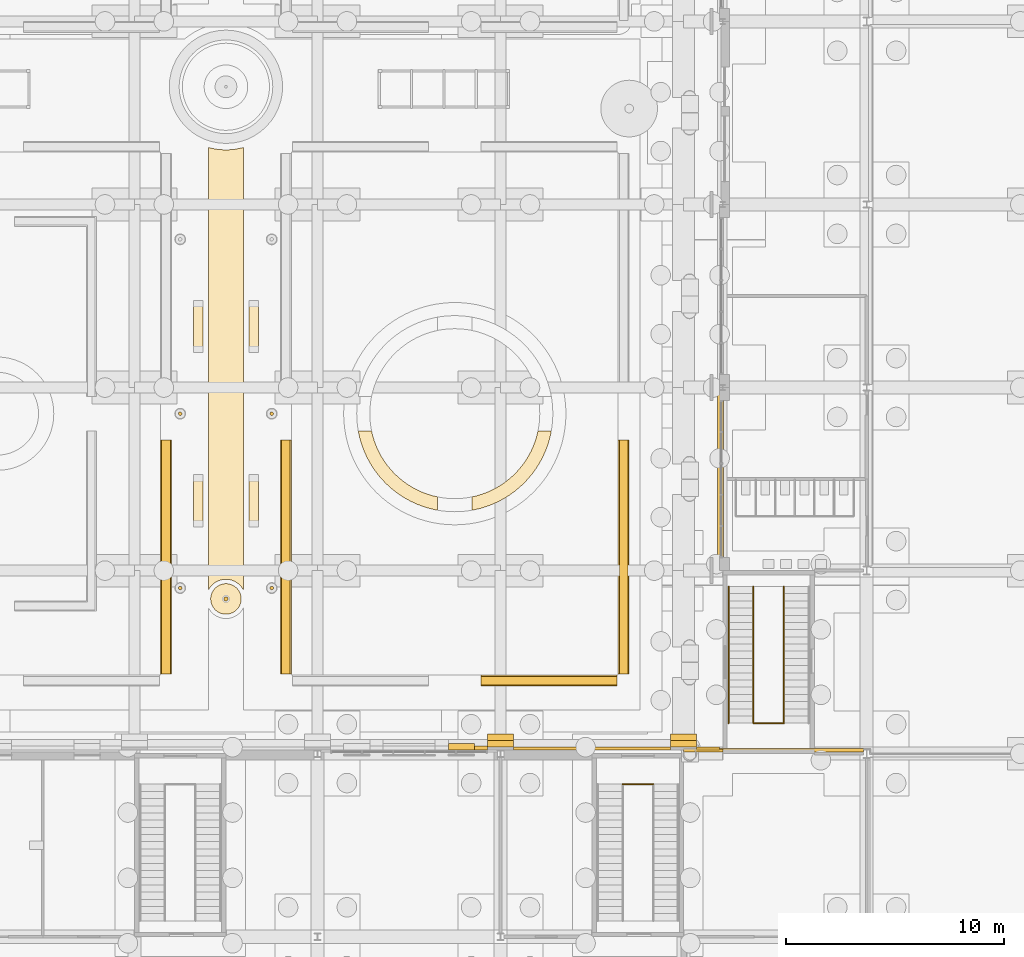
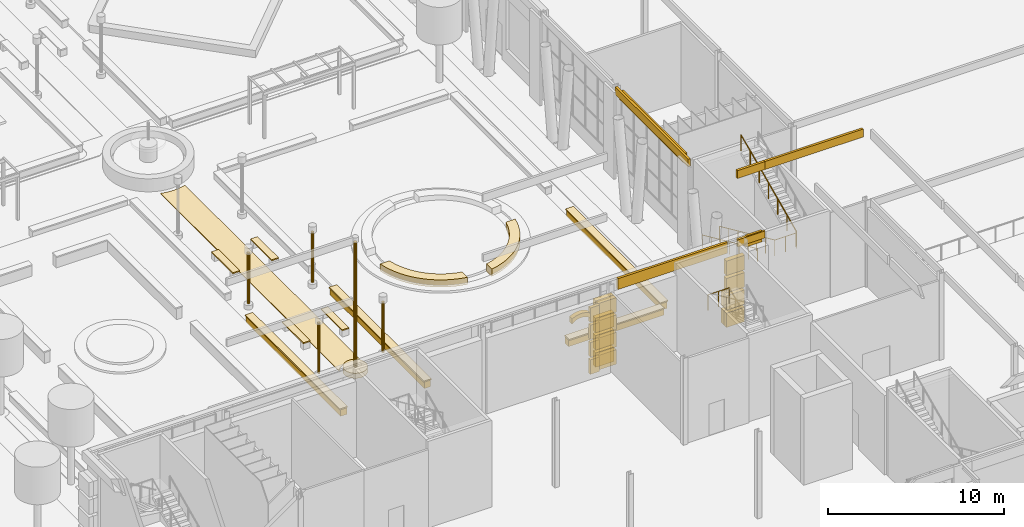
# One storey, part 138 of 222: 47 coverings, 5 railings.
"""IFC4 building model written with IfcOpenShell, lengths in metres."""

from ifc_helpers import new_model, si_unit, direction, frame, origin, origin_2d, place, context, subcontext, project, spatial, polyline, rectangle, circle, outline, extrude, material, layer, layer_set, type_object, element, save


model = new_model("IFC4")

# Units and contexts
model_context = context("Model", 3, precision=1e-05, world=origin(), true_north=direction((0.0, 1.0)))
body_context = subcontext(model_context, "Body", "Model", "MODEL_VIEW")
ifc_project = project(units=[si_unit("LENGTHUNIT", "METRE"), si_unit("AREAUNIT", "SQUARE_METRE"), si_unit("VOLUMEUNIT", "CUBIC_METRE"), si_unit("PLANEANGLEUNIT", "RADIAN"), si_unit("MASSUNIT", "GRAM", prefix="KILO")], contexts=[model_context])

# Site, building, storey
site_placement = place(None, origin())
site = spatial("IfcSite", under=ifc_project, at=site_placement, CompositionType="ELEMENT")
building_placement = place(site_placement, origin())
building = spatial("IfcBuilding", under=site, at=building_placement, Name="Sava Quay Ferry Terminal", CompositionType="ELEMENT")
storey_placement = place(building_placement, origin())
storey = spatial("IfcBuildingStorey", under=building, at=storey_placement, Name="L00", CompositionType="ELEMENT", Elevation=0.0)

# Coverings
ifc_material_1 = material(Name="Limestone Mutalj", Category="masonry")
ifc_layer_1 = layer(ifc_material_1, 0.300048828125)
ifc_layer_set_1 = layer_set([ifc_layer_1], Name="Limestone Mutalj")
covering_type_1 = type_object("IfcCoveringType", Name="Arch band 280", PredefinedType="MOLDING", material=ifc_layer_set_1)
covering_1_placement = place(storey_placement, frame((31.199951171875, 50.56005859375, 3.89990234375), z_axis=(0.0, -1.0, 0.0), x_axis=(0.766686318179, 0.0, 0.642021876199)))
element("IfcCovering", 1, at=covering_1_placement, inside=storey, type_object=covering_type_1, Name="Arch band", PredefinedType="MOLDING", context=body_context, shape_type="SweptSolid", body=[
    extrude(outline(polyline([(0.0, 0.0), (0.15667057654730215, -1.3877787807814457e-17), (0.29293404656438327, -0.02398938309786766), (0.414337308134961, -0.06610472040016957), (0.5230139006591377, -0.1230376562322823), (0.6205921316676617, -0.19360424362325043), (0.7070111298509724, -0.2771166367750381), (0.7823317665186302, -0.3742626814856812), (0.844925734139887, -0.48622632472613514), (0.8926594933146406, -0.6163159221710233), (0.919986145959173, -0.7703949027137791), (1.1489885778747033, -0.49692597916416525), (1.0994043308893047, -0.3694264559410845), (1.0383473638344554, -0.2552470970326215), (0.9677594714851411, -0.1528295969140227), (0.8882067570202763, -0.06073739267965583), (0.8003770662378966, 0.021090386980039788), (0.7042095278284416, 0.09334158786309998), (0.5997650131014718, 0.15532836417148896), (0.4863556762589516, 0.20698984459564596), (0.3634154141219664, 0.2468894662299388), (0.22900243191553027, 0.27346892354961383), (0.0, 0.0)])), origin(), (0.0, 0.0, -1.0), 0.300048828125),
])
ifc_material_2 = material(Name="Glulam GL28h", Category="wood")
ifc_layer_2 = layer(ifc_material_2, 0.449951171875)
ifc_layer_set_2 = layer_set([ifc_layer_2], Name="Glulam GL28h")
covering_type_2 = type_object("IfcCoveringType", Name="Bench seat 450", PredefinedType="CLADDING", material=ifc_layer_set_2)
covering_2_placement = place(storey_placement, frame((0.0, 0.0, 0.419921875)))
element("IfcCovering", 2, at=covering_2_placement, inside=storey, type_object=covering_type_2, Name="Bench seat", PredefinedType="CLADDING", context=body_context, shape_type="SweptSolid", body=[
    extrude(outline(polyline([(19.949951171875, 60.800048828125), (19.949951171875, 63.199951171875), (19.5, 63.199951171875), (19.5, 60.800048828125), (19.949951171875, 60.800048828125)])), origin(), (0.0, 0.0, 1.0), 0.080078125),
])
covering_3_placement = place(storey_placement, frame((0.0, 0.0, 0.419921875)))
element("IfcCovering", 3, at=covering_3_placement, inside=storey, type_object=covering_type_2, Name="Bench seat", PredefinedType="CLADDING", context=body_context, shape_type="SweptSolid", body=[
    extrude(outline(polyline([(19.949951171875, 68.800048828125), (19.949951171875, 71.199951171875), (19.5, 71.199951171875), (19.5, 68.800048828125), (19.949951171875, 68.800048828125)])), origin(), (0.0, 0.0, 1.0), 0.080078125),
])
covering_4_placement = place(storey_placement, frame((0.0, 0.0, 0.419921875)))
element("IfcCovering", 4, at=covering_4_placement, inside=storey, type_object=covering_type_2, Name="Bench seat", PredefinedType="CLADDING", context=body_context, shape_type="SweptSolid", body=[
    extrude(outline(polyline([(22.5, 60.800048828125), (22.5, 63.199951171875), (22.050048828125, 63.199951171875), (22.050048828125, 60.800048828125), (22.5, 60.800048828125)])), origin(), (0.0, 0.0, 1.0), 0.080078125),
])
covering_5_placement = place(storey_placement, frame((0.0, 0.0, 0.419921875)))
element("IfcCovering", 5, at=covering_5_placement, inside=storey, type_object=covering_type_2, Name="Bench seat", PredefinedType="CLADDING", context=body_context, shape_type="SweptSolid", body=[
    extrude(outline(polyline([(22.5, 68.800048828125), (22.5, 71.199951171875), (22.050048828125, 71.199951171875), (22.050048828125, 68.800048828125), (22.5, 68.800048828125)])), origin(), (0.0, 0.0, 1.0), 0.080078125),
])
ifc_material_3 = material(Name="Copper patinated")
ifc_layer_3 = layer(ifc_material_3, 0.25)
ifc_layer_set_3 = layer_set([ifc_layer_3], Name="Copper patinated")
covering_type_3 = type_object("IfcCoveringType", Name="Copper spandrel panel 250", PredefinedType="CLADDING", material=ifc_layer_set_3)
covering_6_placement = place(storey_placement, frame((43.699951171875, 59.39990234375, 5.39990234375), z_axis=(0.0, 0.0, 1.0), x_axis=(0.0, 1.0, 0.0)))
element("IfcCovering", 6, at=covering_6_placement, inside=storey, type_object=covering_type_3, Name="Spandrel panel D-W", PredefinedType="CLADDING", context=body_context, shape_type="SweptSolid", body=[
    extrude(outline(polyline([(0.0, 0.0), (7.2001953125, 0.0), (7.199951171875, 0.60009765625), (0.0, 0.60009765625), (0.0, 0.0)])), frame((0.0, 0.125, 0.0), z_axis=(0.0, -1.0, 0.0), x_axis=(1.0, 0.0, 0.0)), (0.0, 0.0, 1.0), 0.25),
])

# Railings
ifc_material_4 = material(Name="Steel S355", Category="steel")
railing_type_1 = type_object("IfcRailingType", Name="Guard 1100", PredefinedType="GUARDRAIL", material=ifc_material_4)
railing_1_placement = place(storey_placement, frame((39.199951171875, 49.0, 3.0)))
element("IfcRailing", 7, at=railing_1_placement, inside=storey, type_object=railing_type_1, Name="Guard at half landing ST-W2 L00", PredefinedType="GUARDRAIL", context=body_context, shape_type="SweptSolid", body=[
    extrude(circle(Radius=0.02392578125, at=origin_2d()), frame((0.0, 0.0, 1.076171875), z_axis=(1.0, 0.0, 0.0), x_axis=(0.0, 1.0, 0.0)), (0.0, 0.0, 1.0), 1.400146484375),
    extrude(circle(Radius=0.02099609375, at=origin_2d()), origin(), (0.0, 0.0, 1.0), 1.052001953125),
    extrude(circle(Radius=0.02099609375, at=origin_2d()), frame((0.7001953125, 0.0, 0.0)), (0.0, 0.0, 1.0), 1.052001953125),
    extrude(circle(Radius=0.02099609375, at=origin_2d()), frame((1.400146484375, 0.0, 0.0)), (0.0, 0.0, 1.0), 1.052001953125),
])
railing_2_placement = place(storey_placement, frame((45.199951171875, 58.070068359375, 0.14990234375)))
element("IfcRailing", 8, at=railing_2_placement, inside=storey, type_object=railing_type_1, Name="Guard at stair well ST-D1 L00", PredefinedType="GUARDRAIL", context=body_context, shape_type="SweptSolid", body=[
    extrude(circle(Radius=0.02392578125, at=origin_2d()), frame((0.0, 0.0, 1.076171875), z_axis=(0.0, -0.910361621584, 0.413813627068), x_axis=(1.0, 0.0, 0.0)), (0.0, 0.0, 1.0), 6.887451171875),
    extrude(circle(Radius=0.02099609375, at=origin_2d()), origin(), (0.0, 0.0, 1.0), 1.052001953125),
    extrude(circle(Radius=0.02099609375, at=origin_2d()), frame((0.0, -1.044921875, 0.47509765625)), (0.0, 0.0, 1.0), 1.052001953125),
    extrude(circle(Radius=0.02099609375, at=origin_2d()), frame((0.0, -2.090087890625, 0.949951171875)), (0.0, 0.0, 1.0), 1.052001953125),
    extrude(circle(Radius=0.02099609375, at=origin_2d()), frame((0.0, -3.135009765625, 1.425048828125)), (0.0, 0.0, 1.0), 1.052001953125),
    extrude(circle(Radius=0.02099609375, at=origin_2d()), frame((0.0, -4.179931640625, 1.900146484375)), (0.0, 0.0, 1.0), 1.052001953125),
    extrude(circle(Radius=0.02099609375, at=origin_2d()), frame((0.0, -5.22509765625, 2.375)), (0.0, 0.0, 1.0), 1.052001953125),
    extrude(circle(Radius=0.02099609375, at=origin_2d()), frame((0.0, -6.27001953125, 2.85009765625)), (0.0, 0.0, 1.0), 1.052001953125),
])
railing_3_placement = place(storey_placement, frame((46.60009765625, 51.800048828125, 3.14990234375)))
element("IfcRailing", 9, at=railing_3_placement, inside=storey, type_object=railing_type_1, Name="Guard at stair well ST-D1 L00", PredefinedType="GUARDRAIL", context=body_context, shape_type="SweptSolid", body=[
    extrude(circle(Radius=0.02392578125, at=origin_2d()), frame((0.0, 0.0, 1.076171875), z_axis=(0.0, 0.910361621584, 0.413813627068), x_axis=(-1.0, 0.0, 0.0)), (0.0, 0.0, 1.0), 6.887451171875),
    extrude(circle(Radius=0.02099609375, at=origin_2d()), origin(), (0.0, 0.0, 1.0), 1.052001953125),
    extrude(circle(Radius=0.02099609375, at=origin_2d()), frame((0.0, 1.044921875, 0.47509765625)), (0.0, 0.0, 1.0), 1.052001953125),
    extrude(circle(Radius=0.02099609375, at=origin_2d()), frame((0.0, 2.090087890625, 0.949951171875)), (0.0, 0.0, 1.0), 1.052001953125),
    extrude(circle(Radius=0.02099609375, at=origin_2d()), frame((0.0, 3.135009765625, 1.425048828125)), (0.0, 0.0, 1.0), 1.052001953125),
    extrude(circle(Radius=0.02099609375, at=origin_2d()), frame((0.0, 4.179931640625, 1.900146484375)), (0.0, 0.0, 1.0), 1.052001953125),
    extrude(circle(Radius=0.02099609375, at=origin_2d()), frame((0.0, 5.22509765625, 2.375)), (0.0, 0.0, 1.0), 1.052001953125),
    extrude(circle(Radius=0.02099609375, at=origin_2d()), frame((0.0, 6.27001953125, 2.85009765625)), (0.0, 0.0, 1.0), 1.052001953125),
])
railing_4_placement = place(storey_placement, frame((45.199951171875, 51.800048828125, 3.0)))
element("IfcRailing", 10, at=railing_4_placement, inside=storey, type_object=railing_type_1, Name="Guard at half landing ST-D1 L00", PredefinedType="GUARDRAIL", context=body_context, shape_type="SweptSolid", body=[
    extrude(circle(Radius=0.02392578125, at=origin_2d()), frame((0.0, 0.0, 1.076171875), z_axis=(1.0, 0.0, 0.0), x_axis=(0.0, 1.0, 0.0)), (0.0, 0.0, 1.0), 1.400146484375),
    extrude(circle(Radius=0.02099609375, at=origin_2d()), origin(), (0.0, 0.0, 1.0), 1.052001953125),
    extrude(circle(Radius=0.02099609375, at=origin_2d()), frame((0.7001953125, 0.0, 0.0)), (0.0, 0.0, 1.0), 1.052001953125),
    extrude(circle(Radius=0.02099609375, at=origin_2d()), frame((1.400146484375, 0.0, 0.0)), (0.0, 0.0, 1.0), 1.052001953125),
])

# Coverings
ifc_material_5 = material(Name="Steel S355", Category="steel")
ifc_layer_4 = layer(ifc_material_5, 0.159912109375)
ifc_layer_set_4 = layer_set([ifc_layer_4], Name="Steel S355")
covering_type_4 = type_object("IfcCoveringType", Name="Lamp standard column 160", PredefinedType="CLADDING", material=ifc_layer_set_4)
for number, where, z_axis, x_axis, name in (
    (11, (18.89990234375, 58.0, 3.800048828125), (0.0, 0.0, -1.0), (1.0, 0.0, 0.0), "Lamp standard column"),
    (12, (23.10009765625, 58.0, 3.800048828125), (0.0, 0.0, -1.0), (1.0, 0.0, 0.0), "Lamp standard column"),
    (13, (18.89990234375, 66.0, 3.800048828125), (0.0, 0.0, -1.0), (1.0, 0.0, 0.0), "Lamp standard column"),
    (14, (23.10009765625, 66.0, 3.800048828125), (0.0, 0.0, -1.0), (1.0, 0.0, 0.0), "Lamp standard column"),
):
    element("IfcCovering", number, at=place(storey_placement, frame(where, z_axis=z_axis, x_axis=x_axis)), inside=storey, type_object=covering_type_4, Name=name, PredefinedType="CLADDING", context=body_context, shape_type="SweptSolid", body=[
        extrude(circle(Radius=0.080078125, at=origin_2d()), origin(), (0.0, 0.0, 1.0), 3.5),
    ])
ifc_material_6 = material(Name="Limestone Mutalj", Category="masonry")
ifc_layer_5 = layer(ifc_material_6, 0.14990234375)
ifc_layer_set_5 = layer_set([ifc_layer_5], Name="Limestone Mutalj")
covering_type_5 = type_object("IfcCoveringType", Name="Limestone string course 150", PredefinedType="CLADDING", material=ifc_layer_set_5)
covering_7_placement = place(storey_placement, frame((0.0, 0.0, 5.25)))
element("IfcCovering", 15, at=covering_7_placement, inside=storey, type_object=covering_type_5, Name="String course W-N", PredefinedType="CLADDING", context=body_context, shape_type="SweptSolid", body=[
    extrude(outline(polyline([(34.199951171875, 50.56005859375), (41.39990234375, 50.56005859375), (41.39990234375, 50.7099609375), (34.199951171875, 50.7099609375), (34.199951171875, 50.56005859375)])), origin(), (0.0, 0.0, 1.0), 0.75),
])
covering_8_placement = place(storey_placement, frame((0.0, 0.0, 5.25)))
element("IfcCovering", 16, at=covering_8_placement, inside=storey, type_object=covering_type_5, Name="String course W-N", PredefinedType="CLADDING", context=body_context, shape_type="SweptSolid", body=[
    extrude(outline(polyline([(42.60009765625, 50.56005859375), (43.64990234375, 50.56005859375), (43.64990234375, 50.7099609375), (42.60009765625, 50.7099609375), (42.60009765625, 50.56005859375)])), origin(), (0.0, 0.0, 1.0), 0.75),
])
ifc_material_7 = material(Name="Steel S355", Category="steel")
ifc_layer_6 = layer(ifc_material_7, 0.199951171875)
ifc_layer_set_6 = layer_set([ifc_layer_6], Name="Steel S355")
covering_type_6 = type_object("IfcCoveringType", Name="Plaza flagstaff mast 200", PredefinedType="CLADDING", material=ifc_layer_set_6)
covering_9_placement = place(storey_placement, frame((21.0, 57.5, 9.0), z_axis=(0.0, 0.0, -1.0), x_axis=(1.0, 0.0, 0.0)))
element("IfcCovering", 17, at=covering_9_placement, inside=storey, type_object=covering_type_6, Name="Flagstaff mast", PredefinedType="CLADDING", context=body_context, shape_type="SweptSolid", body=[
    extrude(circle(Radius=0.10009765625, at=origin_2d()), origin(), (0.0, 0.0, 1.0), 8.64990234375),
])
ifc_material_8 = material(Name="Limestone Mutalj", Category="masonry")
ifc_layer_7 = layer(ifc_material_8, 1.39990234375)
ifc_layer_set_7 = layer_set([ifc_layer_7], Name="Limestone Mutalj")
covering_type_7 = type_object("IfcCoveringType", Name="Plaza flagstaff stone base 1400", PredefinedType="MOLDING", material=ifc_layer_set_7)
covering_10_placement = place(storey_placement, frame((21.0, 57.5, 0.35009765625), z_axis=(0.0, 0.0, -1.0), x_axis=(1.0, 0.0, 0.0)))
element("IfcCovering", 18, at=covering_10_placement, inside=storey, type_object=covering_type_7, Name="Flagstaff stone base", PredefinedType="MOLDING", context=body_context, shape_type="SweptSolid", body=[
    extrude(circle(Radius=0.699951171875, at=origin_2d()), origin(), (0.0, 0.0, 1.0), 0.35009765625),
])
ifc_material_9 = material(Name="Limestone Mutalj", Category="masonry")
ifc_layer_8 = layer(ifc_material_9, 0.300048828125)
ifc_layer_set_8 = layer_set([ifc_layer_8], Name="Limestone Mutalj")
covering_type_8 = type_object("IfcCoveringType", Name="Rusticated course deepening 300", PredefinedType="CLADDING", material=ifc_layer_set_8)
for number, where, z_axis, x_axis, name in (
    (19, (33.60009765625, 51.159912109375, 0.0), (0.0, 0.0, 1.0), (1.0, 0.0, 0.0), "Rusticated course deepening"),
    (20, (33.60009765625, 51.159912109375, 1.199951171875), (0.0, 0.0, 1.0), (1.0, 0.0, 0.0), "Rusticated course deepening"),
    (21, (33.60009765625, 51.159912109375, 2.39990234375), (0.0, 0.0, 1.0), (1.0, 0.0, 0.0), "Rusticated course deepening"),
    (22, (33.60009765625, 51.159912109375, 3.60009765625), (0.0, 0.0, 1.0), (1.0, 0.0, 0.0), "Rusticated course deepening"),
    (23, (42.0, 51.159912109375, 0.0), (0.0, 0.0, 1.0), (1.0, 0.0, 0.0), "Rusticated course deepening"),
    (24, (42.0, 51.159912109375, 1.199951171875), (0.0, 0.0, 1.0), (1.0, 0.0, 0.0), "Rusticated course deepening"),
):
    element("IfcCovering", number, at=place(storey_placement, frame(where, z_axis=z_axis, x_axis=x_axis)), inside=storey, type_object=covering_type_8, Name=name, PredefinedType="CLADDING", context=body_context, shape_type="SweptSolid", body=[
        extrude(rectangle(XDim=1.199951171875, YDim=0.300048828125, at=origin_2d()), origin(), (0.0, 0.0, 1.0), 1.0),
    ])
ifc_material_10 = material(Name="Limestone Mutalj", Category="masonry")
ifc_layer_9 = layer(ifc_material_10, 0.300048828125)
ifc_layer_set_9 = layer_set([ifc_layer_9], Name="Limestone Mutalj")
covering_type_9 = type_object("IfcCoveringType", Name="Rusticated pier course 300", PredefinedType="CLADDING", material=ifc_layer_set_9)
for number, where, z_axis, x_axis, name in (
    (25, (33.60009765625, 50.860107421875, 0.0), (0.0, 0.0, 1.0), (1.0, 0.0, 0.0), "Rusticated pier course"),
    (26, (33.60009765625, 50.860107421875, 1.199951171875), (0.0, 0.0, 1.0), (1.0, 0.0, 0.0), "Rusticated pier course"),
    (27, (33.60009765625, 50.860107421875, 2.39990234375), (0.0, 0.0, 1.0), (1.0, 0.0, 0.0), "Rusticated pier course"),
    (28, (33.60009765625, 50.860107421875, 3.60009765625), (0.0, 0.0, 1.0), (1.0, 0.0, 0.0), "Rusticated pier course"),
    (29, (42.0, 50.860107421875, 0.0), (0.0, 0.0, 1.0), (1.0, 0.0, 0.0), "Rusticated pier course"),
    (30, (42.0, 50.860107421875, 1.199951171875), (0.0, 0.0, 1.0), (1.0, 0.0, 0.0), "Rusticated pier course"),
    (31, (42.0, 50.860107421875, 2.39990234375), (0.0, 0.0, 1.0), (1.0, 0.0, 0.0), "Rusticated pier course"),
    (32, (42.0, 50.860107421875, 3.60009765625), (0.0, 0.0, 1.0), (1.0, 0.0, 0.0), "Rusticated pier course"),
):
    element("IfcCovering", number, at=place(storey_placement, frame(where, z_axis=z_axis, x_axis=x_axis)), inside=storey, type_object=covering_type_9, Name=name, PredefinedType="CLADDING", context=body_context, shape_type="SweptSolid", body=[
        extrude(rectangle(XDim=1.199951171875, YDim=0.300048828125, at=origin_2d()), origin(), (0.0, 0.0, 1.0), 1.0),
    ])
ifc_material_11 = material(Name="Limestone Mutalj", Category="masonry")
ifc_layer_10 = layer(ifc_material_11, 0.199951171875)
ifc_layer_set_10 = layer_set([ifc_layer_10], Name="Limestone Mutalj")
covering_type_10 = type_object("IfcCoveringType", Name="Rusticated wall course 200", PredefinedType="CLADDING", material=ifc_layer_set_10)
for number, where, z_axis, x_axis, name in (
    (33, (32.699951171875, 50.659912109375, 0.0), (0.0, 0.0, 1.0), (1.0, 0.0, 0.0), "Rusticated wall course"),
    (34, (32.699951171875, 50.659912109375, 1.199951171875), (0.0, 0.0, 1.0), (1.0, 0.0, 0.0), "Rusticated wall course"),
    (35, (32.699951171875, 50.659912109375, 2.39990234375), (0.0, 0.0, 1.0), (1.0, 0.0, 0.0), "Rusticated wall course"),
    (36, (32.699951171875, 50.659912109375, 3.60009765625), (0.0, 0.0, 1.0), (1.0, 0.0, 0.0), "Rusticated wall course"),
):
    element("IfcCovering", number, at=place(storey_placement, frame(where, z_axis=z_axis, x_axis=x_axis)), inside=storey, type_object=covering_type_10, Name=name, PredefinedType="CLADDING", context=body_context, shape_type="SweptSolid", body=[
        extrude(rectangle(XDim=0.60009765625, YDim=0.199951171875, at=origin_2d()), origin(), (0.0, 0.0, 1.0), 1.0),
    ])
ifc_material_12 = material(Name="Limestone Mutalj", Category="masonry")
ifc_layer_11 = layer(ifc_material_12, 0.449951171875)
ifc_layer_set_11 = layer_set([ifc_layer_11], Name="Limestone Mutalj")
covering_type_11 = type_object("IfcCoveringType", Name="Seat wall 450", PredefinedType="CLADDING", material=ifc_layer_set_11)
covering_11_placement = place(storey_placement, frame((0.0, 0.0, 0.14990234375)))
element("IfcCovering", 37, at=covering_11_placement, inside=storey, type_object=covering_type_11, Name="Seat wall 450", PredefinedType="CLADDING", context=body_context, shape_type="SweptSolid", body=[
    extrude(outline(polyline([(35.760986328125, 64.553955078125), (35.846923828125, 64.8349609375), (35.9140625, 65.1220703125), (35.926025390625, 65.199951171875), (35.31591796875, 65.199951171875), (35.26708984375, 64.990966796875), (35.193115234375, 64.74609375), (35.10302734375, 64.508056640625), (34.998046875, 64.27490234375), (34.876953125, 64.050048828125), (34.742919921875, 63.8330078125), (34.593994140625, 63.6259765625), (34.431884765625, 63.428955078125), (34.258056640625, 63.241943359375), (34.071044921875, 63.068115234375), (33.8740234375, 62.906005859375), (33.6669921875, 62.757080078125), (33.449951171875, 62.623046875), (33.22509765625, 62.501953125), (32.991943359375, 62.39697265625), (32.75390625, 62.306884765625), (32.509033203125, 62.23291015625), (32.300048828125, 62.18408203125), (32.300048828125, 61.573974609375), (32.3779296875, 61.5859375), (32.6650390625, 61.653076171875), (32.946044921875, 61.739013671875), (33.221923828125, 61.843017578125), (33.489990234375, 61.964111328125), (33.75, 62.10302734375), (34.0, 62.258056640625), (34.239013671875, 62.429931640625), (34.467041015625, 62.616943359375), (34.681884765625, 62.818115234375), (34.883056640625, 63.032958984375), (35.070068359375, 63.260986328125), (35.241943359375, 63.5), (35.39697265625, 63.75), (35.535888671875, 64.010009765625), (35.656982421875, 64.278076171875), (35.760986328125, 64.553955078125)])), origin(), (0.0, 0.0, 1.0), 0.5),
])
covering_12_placement = place(storey_placement, frame((0.0, 0.0, 0.14990234375)))
element("IfcCovering", 38, at=covering_12_placement, inside=storey, type_object=covering_type_11, Name="Seat wall 450", PredefinedType="CLADDING", context=body_context, shape_type="SweptSolid", body=[
    extrude(outline(polyline([(30.053955078125, 61.739013671875), (30.3349609375, 61.653076171875), (30.6220703125, 61.5859375), (30.699951171875, 61.573974609375), (30.699951171875, 62.18408203125), (30.490966796875, 62.23291015625), (30.24609375, 62.306884765625), (30.008056640625, 62.39697265625), (29.77490234375, 62.501953125), (29.550048828125, 62.623046875), (29.3330078125, 62.757080078125), (29.1259765625, 62.906005859375), (28.928955078125, 63.068115234375), (28.741943359375, 63.241943359375), (28.568115234375, 63.428955078125), (28.406005859375, 63.6259765625), (28.257080078125, 63.8330078125), (28.123046875, 64.050048828125), (28.001953125, 64.27490234375), (27.89697265625, 64.508056640625), (27.806884765625, 64.74609375), (27.73291015625, 64.990966796875), (27.68408203125, 65.199951171875), (27.073974609375, 65.199951171875), (27.0859375, 65.1220703125), (27.153076171875, 64.8349609375), (27.239013671875, 64.553955078125), (27.343017578125, 64.278076171875), (27.464111328125, 64.010009765625), (27.60302734375, 63.75), (27.758056640625, 63.5), (27.929931640625, 63.260986328125), (28.116943359375, 63.032958984375), (28.318115234375, 62.818115234375), (28.532958984375, 62.616943359375), (28.760986328125, 62.429931640625), (29.0, 62.258056640625), (29.25, 62.10302734375), (29.510009765625, 61.964111328125), (29.778076171875, 61.843017578125), (30.053955078125, 61.739013671875)])), origin(), (0.0, 0.0, 1.0), 0.5),
])
ifc_material_13 = material(Name="Limestone Mutalj", Category="masonry")
ifc_layer_12 = layer(ifc_material_13, 0.14990234375)
ifc_layer_set_12 = layer_set([ifc_layer_12], Name="Limestone Mutalj")
covering_type_12 = type_object("IfcCoveringType", Name="Slab edge fascia 150", PredefinedType="CLADDING", material=ifc_layer_set_12)
covering_13_placement = place(storey_placement, frame((0.0, 0.0, 5.510009765625)))
element("IfcCovering", 39, at=covering_13_placement, inside=storey, type_object=covering_type_12, Name="Slab edge fascia", PredefinedType="CLADDING", context=body_context, shape_type="SweptSolid", body=[
    extrude(outline(polyline([(42.0, 50.48291015625), (43.800048828125, 50.48291015625), (43.800048828125, 50.60009765625), (43.679931640625, 50.60009765625), (43.679931640625, 50.633056640625), (42.0, 50.633056640625), (42.0, 50.48291015625)])), origin(), (0.0, 0.0, 1.0), 0.489990234375),
])
covering_14_placement = place(storey_placement, frame((0.0, 0.0, 5.469970703125)))
element("IfcCovering", 40, at=covering_14_placement, inside=storey, type_object=covering_type_12, Name="Slab edge fascia", PredefinedType="CLADDING", context=body_context, shape_type="SweptSolid", body=[
    extrude(outline(polyline([(43.56201171875, 58.800048828125), (43.7119140625, 58.800048828125), (43.7119140625, 67.080078125), (43.56201171875, 67.080078125), (43.56201171875, 58.800048828125)])), origin(), (0.0, 0.0, 1.0), 0.530029296875),
])
covering_15_placement = place(storey_placement, frame((0.0, 0.0, 10.25)))
element("IfcCovering", 41, at=covering_15_placement, inside=storey, type_object=covering_type_12, Name="Slab edge fascia", PredefinedType="CLADDING", context=body_context, shape_type="SweptSolid", body=[
    extrude(outline(polyline([(42.0, 50.637939453125), (42.0, 50.488037109375), (43.800048828125, 50.488037109375), (43.800048828125, 50.637939453125), (42.0, 50.637939453125)])), origin(), (0.0, 0.0, 1.0), 0.550048828125),
])
covering_16_placement = place(storey_placement, frame((0.0, 0.0, 10.25)))
element("IfcCovering", 42, at=covering_16_placement, inside=storey, type_object=covering_type_12, Name="Slab edge fascia", PredefinedType="CLADDING", context=body_context, shape_type="SweptSolid", body=[
    extrude(outline(polyline([(43.800048828125, 50.637939453125), (43.800048828125, 50.488037109375), (50.25, 50.488037109375), (50.25, 50.637939453125), (43.800048828125, 50.637939453125)])), origin(), (0.0, 0.0, 1.0), 0.550048828125),
])

# Railing
ifc_material_14 = material(Name="Steel S355", Category="steel")
railing_type_2 = type_object("IfcRailingType", Name="Stair handrail 900", PredefinedType="HANDRAIL", material=ifc_material_14)
railing_5_placement = place(storey_placement, frame((44.06005859375, 58.070068359375, 0.14990234375)))
element("IfcRailing", 43, at=railing_5_placement, inside=storey, type_object=railing_type_2, Name="Handrail ST-D1 L00", PredefinedType="HANDRAIL", context=body_context, shape_type="SweptSolid", body=[
    extrude(circle(Radius=0.02392578125, at=origin_2d()), frame((0.0, 0.0, 0.8759765625), z_axis=(0.0, -0.910361621584, 0.413813627068), x_axis=(1.0, 0.0, 0.0)), (0.0, 0.0, 1.0), 6.887451171875),
    extrude(circle(Radius=0.02099609375, at=origin_2d()), origin(), (0.0, 0.0, 1.0), 0.851806640625),
    extrude(circle(Radius=0.02099609375, at=origin_2d()), frame((0.0, -1.044921875, 0.47509765625)), (0.0, 0.0, 1.0), 0.851806640625),
    extrude(circle(Radius=0.02099609375, at=origin_2d()), frame((0.0, -2.090087890625, 0.949951171875)), (0.0, 0.0, 1.0), 0.851806640625),
    extrude(circle(Radius=0.02099609375, at=origin_2d()), frame((0.0, -3.135009765625, 1.425048828125)), (0.0, 0.0, 1.0), 0.851806640625),
    extrude(circle(Radius=0.02099609375, at=origin_2d()), frame((0.0, -4.179931640625, 1.900146484375)), (0.0, 0.0, 1.0), 0.851806640625),
    extrude(circle(Radius=0.02099609375, at=origin_2d()), frame((0.0, -5.22509765625, 2.375)), (0.0, 0.0, 1.0), 0.851806640625),
    extrude(circle(Radius=0.02099609375, at=origin_2d()), frame((0.0, -6.27001953125, 2.85009765625)), (0.0, 0.0, 1.0), 0.851806640625),
])

# Coverings
ifc_material_15 = material(Name="Limestone Mutalj", Category="masonry")
ifc_layer_13 = layer(ifc_material_15, 0.050048828125)
ifc_layer_set_13 = layer_set([ifc_layer_13], Name="Limestone Mutalj")
covering_type_13 = type_object("IfcCoveringType", Name="Stone paving band 50", PredefinedType="FLOORING", material=ifc_layer_set_13)
covering_17_placement = place(storey_placement, origin())
element("IfcCovering", 44, at=covering_17_placement, inside=storey, type_object=covering_type_13, Name="Stone paving band", PredefinedType="FLOORING", context=body_context, shape_type="SweptSolid", body=[
    extrude(outline(polyline([(20.199951171875, 78.216064453125), (20.199951171875, 57.910888671875), (20.2060546875, 57.924072265625), (20.251953125, 58.0), (20.303955078125, 58.071044921875), (20.364013671875, 58.135986328125), (20.428955078125, 58.196044921875), (20.5, 58.248046875), (20.575927734375, 58.2939453125), (20.656005859375, 58.3310546875), (20.739013671875, 58.361083984375), (20.823974609375, 58.383056640625), (20.912109375, 58.39599609375), (21.0, 58.39990234375), (21.087890625, 58.39599609375), (21.176025390625, 58.383056640625), (21.260986328125, 58.361083984375), (21.343994140625, 58.3310546875), (21.424072265625, 58.2939453125), (21.5, 58.248046875), (21.571044921875, 58.196044921875), (21.635986328125, 58.135986328125), (21.696044921875, 58.071044921875), (21.748046875, 58.0), (21.7939453125, 57.924072265625), (21.800048828125, 57.910888671875), (21.800048828125, 78.216064453125), (21.7509765625, 78.198974609375), (21.37890625, 78.125), (21.0, 78.10009765625), (20.62109375, 78.125), (20.2490234375, 78.198974609375), (20.199951171875, 78.216064453125)])), origin(), (0.0, 0.0, 1.0), 0.050048828125),
])
ifc_material_16 = material(Name="Limestone Mutalj", Category="masonry")
ifc_layer_14 = layer(ifc_material_16, 0.080078125)
ifc_layer_set_14 = layer_set([ifc_layer_14], Name="Limestone Mutalj")
covering_type_14 = type_object("IfcCoveringType", Name="Terrace parterre coping 500", PredefinedType="MOLDING", material=ifc_layer_set_14)
covering_18_placement = place(storey_placement, frame((0.0, 0.0, 0.449951171875)))
element("IfcCovering", 45, at=covering_18_placement, inside=storey, type_object=covering_type_14, Name="Parterre wall coping", PredefinedType="MOLDING", context=body_context, shape_type="SweptSolid", body=[
    extrude(outline(polyline([(18.5, 64.800048828125), (18.0, 64.800048828125), (18.0, 54.050048828125), (18.5, 54.050048828125), (18.5, 64.800048828125)])), origin(), (0.0, 0.0, 1.0), 0.080078125),
])
covering_19_placement = place(storey_placement, frame((0.0, 0.0, 0.449951171875)))
element("IfcCovering", 46, at=covering_19_placement, inside=storey, type_object=covering_type_14, Name="Parterre wall coping", PredefinedType="MOLDING", context=body_context, shape_type="SweptSolid", body=[
    extrude(outline(polyline([(24.0, 54.050048828125), (24.0, 64.800048828125), (23.5, 64.800048828125), (23.5, 54.050048828125), (24.0, 54.050048828125)])), origin(), (0.0, 0.0, 1.0), 0.080078125),
])
covering_20_placement = place(storey_placement, frame((0.0, 0.0, 0.449951171875)))
element("IfcCovering", 47, at=covering_20_placement, inside=storey, type_object=covering_type_14, Name="Parterre wall coping", PredefinedType="MOLDING", context=body_context, shape_type="SweptSolid", body=[
    extrude(outline(polyline([(32.699951171875, 54.0), (32.699951171875, 53.5), (38.949951171875, 53.5), (38.949951171875, 54.0), (32.699951171875, 54.0)])), origin(), (0.0, 0.0, 1.0), 0.080078125),
])
covering_21_placement = place(storey_placement, frame((0.0, 0.0, 0.449951171875)))
element("IfcCovering", 48, at=covering_21_placement, inside=storey, type_object=covering_type_14, Name="Parterre wall coping", PredefinedType="MOLDING", context=body_context, shape_type="SweptSolid", body=[
    extrude(outline(polyline([(39.5, 64.800048828125), (39.0, 64.800048828125), (39.0, 54.050048828125), (39.5, 54.050048828125), (39.5, 64.800048828125)])), origin(), (0.0, 0.0, 1.0), 0.080078125),
])
ifc_material_17 = material(Name="Limestone Mutalj", Category="masonry")
ifc_layer_15 = layer(ifc_material_17, 0.39990234375)
ifc_layer_set_15 = layer_set([ifc_layer_15], Name="Limestone Mutalj")
covering_type_15 = type_object("IfcCoveringType", Name="Terrace parterre wall 400", PredefinedType="CLADDING", material=ifc_layer_set_15)
covering_22_placement = place(storey_placement, origin())
element("IfcCovering", 49, at=covering_22_placement, inside=storey, type_object=covering_type_15, Name="Parterre wall", PredefinedType="CLADDING", context=body_context, shape_type="SweptSolid", body=[
    extrude(outline(polyline([(18.449951171875, 64.800048828125), (18.050048828125, 64.800048828125), (18.050048828125, 54.050048828125), (18.449951171875, 54.050048828125), (18.449951171875, 64.800048828125)])), origin(), (0.0, 0.0, 1.0), 0.449951171875),
])
covering_23_placement = place(storey_placement, origin())
element("IfcCovering", 50, at=covering_23_placement, inside=storey, type_object=covering_type_15, Name="Parterre wall", PredefinedType="CLADDING", context=body_context, shape_type="SweptSolid", body=[
    extrude(outline(polyline([(23.949951171875, 54.050048828125), (23.949951171875, 64.800048828125), (23.550048828125, 64.800048828125), (23.550048828125, 54.050048828125), (23.949951171875, 54.050048828125)])), origin(), (0.0, 0.0, 1.0), 0.449951171875),
])
covering_24_placement = place(storey_placement, origin())
element("IfcCovering", 51, at=covering_24_placement, inside=storey, type_object=covering_type_15, Name="Parterre wall", PredefinedType="CLADDING", context=body_context, shape_type="SweptSolid", body=[
    extrude(outline(polyline([(32.699951171875, 53.949951171875), (32.699951171875, 53.550048828125), (38.949951171875, 53.550048828125), (38.949951171875, 53.949951171875), (32.699951171875, 53.949951171875)])), origin(), (0.0, 0.0, 1.0), 0.449951171875),
])
covering_25_placement = place(storey_placement, origin())
element("IfcCovering", 52, at=covering_25_placement, inside=storey, type_object=covering_type_15, Name="Parterre wall", PredefinedType="CLADDING", context=body_context, shape_type="SweptSolid", body=[
    extrude(outline(polyline([(39.449951171875, 64.800048828125), (39.050048828125, 64.800048828125), (39.050048828125, 54.050048828125), (39.449951171875, 54.050048828125), (39.449951171875, 64.800048828125)])), origin(), (0.0, 0.0, 1.0), 0.449951171875),
])

save(model, "model.ifc")
